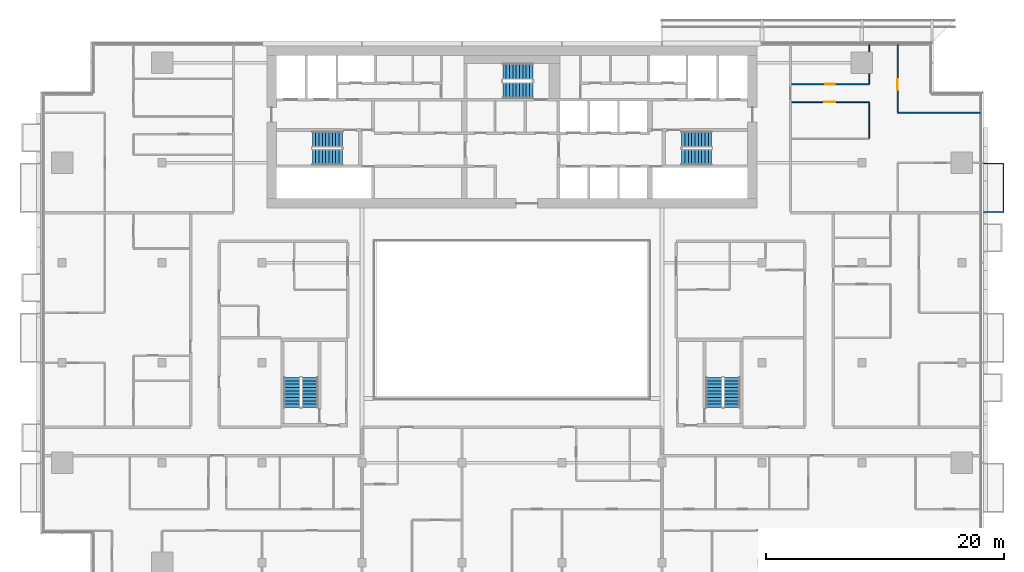
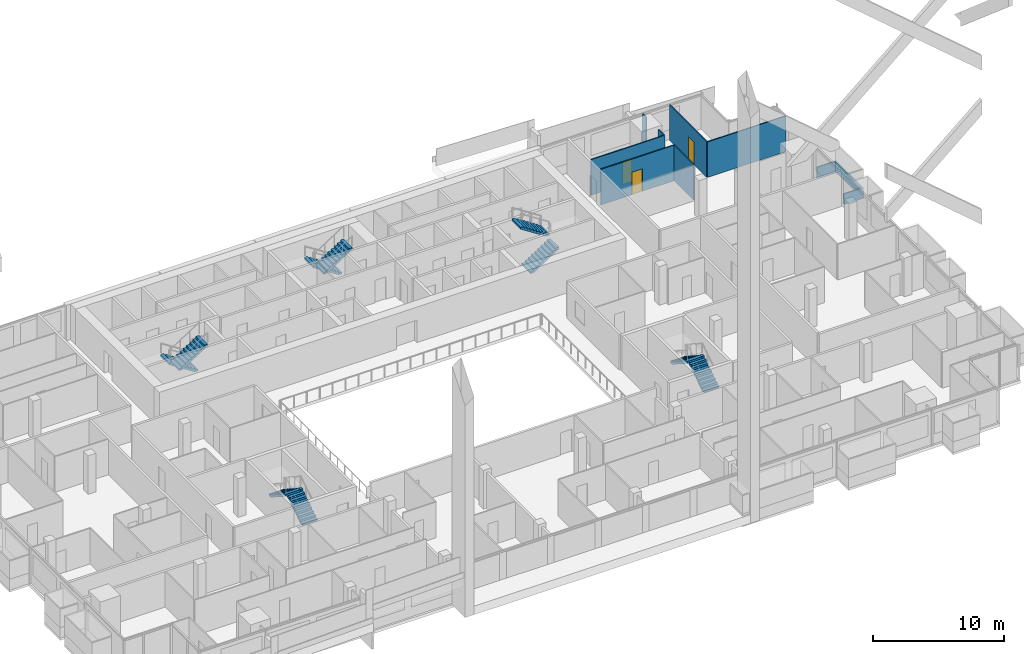
# One storey, part 25 of 31: 10 stair flights, 8 walls, 3 doors, 3 openings, 5 elements without a shape of their own.
"""IFC4 building model written with IfcOpenShell, lengths in metres."""

from ifc_helpers import new_model, si_unit, direction, frame, frame_2d, origin, place, context, subcontext, project, spatial, polyline, rectangle, outline, extrude, material, layer, layer_set, type_object, element, fill, aggregate, save


model = new_model("IFC4")

# Units and contexts
model_context = context("Model", 3, precision=1e-05, world=origin(), true_north=direction((0.0, 1.0)))
body_context = subcontext(model_context, "Body", "Model", "MODEL_VIEW")
ifc_project = project(units=[si_unit("LENGTHUNIT", "METRE"), si_unit("AREAUNIT", "SQUARE_METRE"), si_unit("VOLUMEUNIT", "CUBIC_METRE"), si_unit("PLANEANGLEUNIT", "RADIAN"), si_unit("MASSUNIT", "GRAM", prefix="KILO")], contexts=[model_context])

# Site, building, storey
site_placement = place(None, origin())
site = spatial("IfcSite", under=ifc_project, at=site_placement, CompositionType="ELEMENT")
building_placement = place(site_placement, origin())
building = spatial("IfcBuilding", under=site, at=building_placement, Name="Saffron Gate Tower", CompositionType="ELEMENT")
storey_placement = place(building_placement, frame((0.0, 0.0, 147.449951171875)))
storey = spatial("IfcBuildingStorey", under=building, at=storey_placement, Name="L35", CompositionType="ELEMENT", Elevation=147.449951171875)

# Wall
ifc_material_1 = material(Name="Plasterboard on steel studs", Category="steel")
ifc_layer_1 = layer(ifc_material_1, 0.10009765625)
ifc_layer_set_1 = layer_set([ifc_layer_1], Name="PW1 Partition 100")
wall_type_1 = type_object("IfcWallType", Name="PW1 Partition 100", PredefinedType="PARTITIONING", material=ifc_layer_set_1)
wall_1_placement = place(storey_placement, frame((120.0, 69.60009765625, 0.0), z_axis=(0.0, 0.0, 1.0), x_axis=(1.0, 0.0, 0.0)))
element("IfcWall", 1, at=wall_1_placement, inside=storey, type_object=wall_type_1, Name="Partition C1-53", PredefinedType="PARTITIONING", context=body_context, shape_type="SweptSolid", body=[
    extrude(rectangle(XDim=6.919921875, YDim=0.10009765625, at=frame_2d((3.4599609375, 0.0))), origin(), (0.0, 0.0, 1.0), 3.320068359375),
])

# Wall, opening, door
wall_2_placement = place(storey_placement, frame((117.60009765625, 70.5, 0.0), z_axis=(0.0, 0.0, 1.0), x_axis=(-1.0, 0.0, 0.0)))
wall_2 = element("IfcWall", 2, at=wall_2_placement, inside=storey, type_object=wall_type_1, Name="Partition C1-54", PredefinedType="PARTITIONING", context=body_context, shape_type="SweptSolid", body=[
    extrude(rectangle(XDim=6.5, YDim=0.10009765625, at=frame_2d((3.25, 0.0))), origin(), (0.0, 0.0, 1.0), 3.320068359375),
])
opening_1_placement = place(wall_2_placement, frame((2.85009765625, 0.0, 0.0)))
opening_1 = element("IfcOpeningElement", 3, at=opening_1_placement, cuts=wall_2, Name="Opening C1-36", PredefinedType="OPENING", context=body_context, shape_type="SweptSolid", body=[
    extrude(rectangle(XDim=0.89990234375, YDim=2.10009765625, at=frame_2d((0.449951171875, 1.050048828125))), frame((0.0, 0.06005859375, 0.0), z_axis=(0.0, -1.0, 0.0), x_axis=(1.0, 0.0, 0.0)), (0.0, 0.0, 1.0), 0.1201171875),
])
ifc_material_2 = material(Name="Timber door set", Category="wood")
door_type_1 = type_object("IfcDoorType", Name="RD1 Room door 900x2100", OperationType="NOTDEFINED", PredefinedType="DOOR", material=ifc_material_2)
door_1_placement = place(opening_1_placement, origin())
door_1 = element("IfcDoor", 4, at=door_1_placement, inside=storey, type_object=door_type_1, Name="Door C1-36", OperationType="SINGLE_SWING_RIGHT", OverallHeight=2.10009765625, OverallWidth=0.89990234375, PredefinedType="DOOR", context=body_context, shape_type="SweptSolid", body=[
    extrude(rectangle(XDim=0.89990234375, YDim=2.10009765625, at=frame_2d((0.449951171875, 1.050048828125))), frame((0.0, 0.02490234375, 0.0), z_axis=(0.0, -1.0, 0.0), x_axis=(1.0, 0.0, 0.0)), (0.0, 0.0, 1.0), 0.050048828125),
])
fill(opening_1, door_1)

wall_3_placement = place(storey_placement, frame((111.10009765625, 72.0, 0.0), z_axis=(0.0, 0.0, 1.0), x_axis=(1.0, 0.0, 0.0)))
wall_3 = element("IfcWall", 5, at=wall_3_placement, inside=storey, type_object=wall_type_1, Name="Partition C1-55", PredefinedType="PARTITIONING", context=body_context, shape_type="SweptSolid", body=[
    extrude(rectangle(XDim=6.5, YDim=0.10009765625, at=frame_2d((3.25, 0.0))), origin(), (0.0, 0.0, 1.0), 3.320068359375),
])
opening_2_placement = place(wall_3_placement, frame((2.800048828125, 0.0, 0.0)))
opening_2 = element("IfcOpeningElement", 6, at=opening_2_placement, cuts=wall_3, Name="Opening C1-51", PredefinedType="OPENING", context=body_context, shape_type="SweptSolid", body=[
    extrude(rectangle(XDim=0.800048828125, YDim=2.10009765625, at=frame_2d((0.39990234375, 1.050048828125))), frame((0.0, 0.06005859375, 0.0), z_axis=(0.0, -1.0, 0.0), x_axis=(1.0, 0.0, 0.0)), (0.0, 0.0, 1.0), 0.1201171875),
])
door_type_2 = type_object("IfcDoorType", Name="RD2 Bathroom door 800x2100", OperationType="NOTDEFINED", PredefinedType="DOOR", material=ifc_material_2)
door_2_placement = place(opening_2_placement, origin())
door_2 = element("IfcDoor", 7, at=door_2_placement, inside=storey, type_object=door_type_2, Name="Door C1-51", OperationType="SINGLE_SWING_LEFT", OverallHeight=2.10009765625, OverallWidth=0.800048828125, PredefinedType="DOOR", context=body_context, shape_type="SweptSolid", body=[
    extrude(rectangle(XDim=0.800048828125, YDim=2.10009765625, at=frame_2d((0.39990234375, 1.050048828125))), frame((0.0, 0.02490234375, 0.0), z_axis=(0.0, -1.0, 0.0), x_axis=(1.0, 0.0, 0.0)), (0.0, 0.0, 1.0), 0.050048828125),
])
fill(opening_2, door_2)

# Walls
wall_4_placement = place(storey_placement, frame((117.60009765625, 70.449951171875, 0.0), z_axis=(0.0, 0.0, 1.0), x_axis=(0.0, -1.0, 0.0)))
element("IfcWall", 8, at=wall_4_placement, inside=storey, type_object=wall_type_1, Name="Partition C1-107", PredefinedType="PARTITIONING", context=body_context, shape_type="SweptSolid", body=[
    extrude(rectangle(XDim=2.98779296875, YDim=0.10009765625, at=frame_2d((1.493896484375, 0.0))), origin(), (0.0, 0.0, 1.0), 3.320068359375),
])
wall_5_placement = place(storey_placement, frame((117.60009765625, 72.8798828125, 0.0), z_axis=(0.0, 0.0, 1.0), x_axis=(0.0, -1.0, 0.0)))
element("IfcWall", 9, at=wall_5_placement, inside=storey, type_object=wall_type_1, Name="Partition C1-108", PredefinedType="PARTITIONING", context=body_context, shape_type="SweptSolid", body=[
    extrude(rectangle(XDim=0.829833984375, YDim=0.10009765625, at=frame_2d((0.4150390625, 0.0))), origin(), (0.0, 0.0, 1.0), 3.320068359375),
])
wall_6_placement = place(storey_placement, frame((117.60009765625, 75.320068359375, 0.0), z_axis=(0.0, 0.0, 1.0), x_axis=(0.0, -1.0, 0.0)))
element("IfcWall", 10, at=wall_6_placement, inside=storey, type_object=wall_type_1, Name="Partition C1-109", PredefinedType="PARTITIONING", context=body_context, shape_type="SweptSolid", body=[
    extrude(rectangle(XDim=0.60009765625, YDim=0.10009765625, at=frame_2d((0.300048828125, 0.0))), origin(), (0.0, 0.0, 1.0), 3.320068359375),
])

# Wall, opening, door
wall_7_placement = place(storey_placement, frame((120.0, 75.320068359375, 0.0), z_axis=(0.0, 0.0, 1.0), x_axis=(0.0, -1.0, 0.0)))
wall_7 = element("IfcWall", 11, at=wall_7_placement, inside=storey, type_object=wall_type_1, Name="Partition C1-113", PredefinedType="PARTITIONING", context=body_context, shape_type="SweptSolid", body=[
    extrude(rectangle(XDim=5.670166015625, YDim=0.10009765625, at=frame_2d((2.8349609375, 0.0))), origin(), (0.0, 0.0, 1.0), 3.320068359375),
])
opening_3_placement = place(wall_7_placement, frame((2.89111328125, 0.0, 0.0)))
opening_3 = element("IfcOpeningElement", 12, at=opening_3_placement, cuts=wall_7, Name="Opening C1-35", PredefinedType="OPENING", context=body_context, shape_type="SweptSolid", body=[
    extrude(rectangle(XDim=0.89990234375, YDim=2.10009765625, at=frame_2d((0.449951171875, 1.050048828125))), frame((0.0, 0.06005859375, 0.0), z_axis=(0.0, -1.0, 0.0), x_axis=(1.0, 0.0, 0.0)), (0.0, 0.0, 1.0), 0.1201171875),
])
door_3_placement = place(opening_3_placement, origin())
door_3 = element("IfcDoor", 13, at=door_3_placement, inside=storey, type_object=door_type_1, Name="Door C1-35", OperationType="SINGLE_SWING_RIGHT", OverallHeight=2.10009765625, OverallWidth=0.89990234375, PredefinedType="DOOR", context=body_context, shape_type="SweptSolid", body=[
    extrude(rectangle(XDim=0.89990234375, YDim=2.10009765625, at=frame_2d((0.449951171875, 1.050048828125))), frame((0.0, 0.02490234375, 0.0), z_axis=(0.0, -1.0, 0.0), x_axis=(1.0, 0.0, 0.0)), (0.0, 0.0, 1.0), 0.050048828125),
])
fill(opening_3, door_3)

# Wall
ifc_material_3 = material(Name="Rendered insulated panel, white")
ifc_layer_2 = layer(ifc_material_3, 0.10009765625)
ifc_layer_set_2 = layer_set([ifc_layer_2], Name="WB3 box parapet white")
wall_type_2 = type_object("IfcWallType", Name="WB3 box parapet white", PredefinedType="SOLIDWALL", material=ifc_layer_set_2)
wall_8_placement = place(storey_placement, origin())
element("IfcWall", 14, at=wall_8_placement, inside=storey, type_object=wall_type_2, Name="WINDOW BOX parapet", PredefinedType="SOLIDWALL", context=body_context, shape_type="SweptSolid", body=[
    extrude(outline(polyline([(127.199951171875, 61.199951171875), (127.199951171875, 61.300048828125), (128.8330078125, 61.300048828125), (128.8330078125, 65.300048828125), (127.199951171875, 65.300048828125), (127.199951171875, 65.39990234375), (128.93310546875, 65.39990234375), (128.93310546875, 61.199951171875), (127.199951171875, 61.199951171875)])), origin(), (0.0, 0.0, 1.0), 1.0),
])

# Stair, stair flights
ifc_material_4 = material(Name="Concrete C40", Category="concrete")
stair_type = type_object("IfcStairType", Name="ST7 Stair 1350 wide, 20 risers of 180", PredefinedType="HALF_TURN_STAIR", material=ifc_material_4)
stair_1_placement = place(storey_placement, origin())
stair_1 = element("IfcStair", 15, at=stair_1_placement, inside=storey, type_object=stair_type, Name="L35 Exit stair A", PredefinedType="HALF_TURN_STAIR")
stair_flight_type = type_object("IfcStairFlightType", Name="SF3 Stair flight 1350 wide, riser 180 going 280", PredefinedType="STRAIGHT", material=ifc_material_4)
stair_flight_1_placement = place(storey_placement, frame((73.35009765625, 67.375, 0.0), z_axis=(0.0, 0.0, 1.0), x_axis=(-1.0, 0.0, 0.0)))
stair_flight_1 = element("IfcStairFlight", 16, at=stair_flight_1_placement, type_object=stair_flight_type, Name="ST-A flight 1", NumberOfRisers=10, NumberOfTreads=9, PredefinedType="STRAIGHT", RiserHeight=0.18, TreadLength=0.28, context=body_context, shape_type="SweptSolid", body=[
    extrude(outline(polyline([(0.0, 0.0), (0.0, 0.179931640625), (0.280029296875, 0.179931640625), (0.280029296875, 0.360107421875), (0.56005859375, 0.360107421875), (0.56005859375, 0.5400390625), (0.840087890625, 0.5400390625), (0.840087890625, 0.719970703125), (1.1201171875, 0.719970703125), (1.1201171875, 0.89990234375), (1.39990234375, 0.89990234375), (1.39990234375, 1.080078125), (1.679931640625, 1.080078125), (1.679931640625, 1.260009765625), (1.9599609375, 1.260009765625), (1.9599609375, 1.43994140625), (2.239990234375, 1.43994140625), (2.239990234375, 1.6201171875), (2.52001953125, 1.6201171875), (2.52001953125, 1.800048828125), (2.52001953125, 1.44189453125), (0.277099609375, 0.0), (0.0, 0.0)])), frame((0.0, 0.675048828125, 0.0), z_axis=(0.0, -1.0, 0.0), x_axis=(1.0, 0.0, 0.0)), (0.0, 0.0, 1.0), 1.35009765625),
])
stair_flight_2_placement = place(storey_placement, frame((70.830078125, 65.875, 1.800048828125), z_axis=(0.0, 0.0, 1.0), x_axis=(1.0, 0.0, 0.0)))
stair_flight_2 = element("IfcStairFlight", 17, at=stair_flight_2_placement, type_object=stair_flight_type, Name="ST-A flight 2", NumberOfRisers=10, NumberOfTreads=9, PredefinedType="STRAIGHT", RiserHeight=0.18, TreadLength=0.28, context=body_context, shape_type="SweptSolid", body=[
    extrude(outline(polyline([(0.0, 0.0), (0.0, 0.179931640625), (0.280029296875, 0.179931640625), (0.280029296875, 0.360107421875), (0.56005859375, 0.360107421875), (0.56005859375, 0.5400390625), (0.840087890625, 0.5400390625), (0.840087890625, 0.719970703125), (1.1201171875, 0.719970703125), (1.1201171875, 0.89990234375), (1.39990234375, 0.89990234375), (1.39990234375, 1.080078125), (1.679931640625, 1.080078125), (1.679931640625, 1.260009765625), (1.9599609375, 1.260009765625), (1.9599609375, 1.43994140625), (2.239990234375, 1.43994140625), (2.239990234375, 1.6201171875), (2.52001953125, 1.6201171875), (2.52001953125, 1.800048828125), (2.52001953125, 1.44189453125), (0.277099609375, 0.0), (0.0, 0.0)])), frame((0.0, 0.675048828125, 0.0), z_axis=(0.0, -1.0, 0.0), x_axis=(1.0, 0.0, 0.0)), (0.0, 0.0, 1.0), 1.35009765625),
])
aggregate(stair_1, [stair_flight_1, stair_flight_2])

stair_2_placement = place(storey_placement, origin())
stair_2 = element("IfcStair", 18, at=stair_2_placement, inside=storey, type_object=stair_type, Name="L35 Exit stair B", PredefinedType="HALF_TURN_STAIR")
stair_flight_3_placement = place(storey_placement, frame((101.85009765625, 65.875, 0.0), z_axis=(0.0, 0.0, 1.0), x_axis=(1.0, 0.0, 0.0)))
stair_flight_3 = element("IfcStairFlight", 19, at=stair_flight_3_placement, type_object=stair_flight_type, Name="ST-B flight 1", NumberOfRisers=10, NumberOfTreads=9, PredefinedType="STRAIGHT", RiserHeight=0.18, TreadLength=0.28, context=body_context, shape_type="SweptSolid", body=[
    extrude(outline(polyline([(0.0, 0.0), (0.0, 0.179931640625), (0.280029296875, 0.179931640625), (0.280029296875, 0.360107421875), (0.56005859375, 0.360107421875), (0.56005859375, 0.5400390625), (0.840087890625, 0.5400390625), (0.840087890625, 0.719970703125), (1.1201171875, 0.719970703125), (1.1201171875, 0.89990234375), (1.39990234375, 0.89990234375), (1.39990234375, 1.080078125), (1.679931640625, 1.080078125), (1.679931640625, 1.260009765625), (1.9599609375, 1.260009765625), (1.9599609375, 1.43994140625), (2.239990234375, 1.43994140625), (2.239990234375, 1.6201171875), (2.52001953125, 1.6201171875), (2.52001953125, 1.800048828125), (2.52001953125, 1.44189453125), (0.277099609375, 0.0), (0.0, 0.0)])), frame((0.0, 0.675048828125, 0.0), z_axis=(0.0, -1.0, 0.0), x_axis=(1.0, 0.0, 0.0)), (0.0, 0.0, 1.0), 1.35009765625),
])
stair_flight_4_placement = place(storey_placement, frame((104.3701171875, 67.375, 1.800048828125), z_axis=(0.0, 0.0, 1.0), x_axis=(-1.0, 0.0, 0.0)))
stair_flight_4 = element("IfcStairFlight", 20, at=stair_flight_4_placement, type_object=stair_flight_type, Name="ST-B flight 2", NumberOfRisers=10, NumberOfTreads=9, PredefinedType="STRAIGHT", RiserHeight=0.18, TreadLength=0.28, context=body_context, shape_type="SweptSolid", body=[
    extrude(outline(polyline([(0.0, 0.0), (0.0, 0.179931640625), (0.280029296875, 0.179931640625), (0.280029296875, 0.360107421875), (0.56005859375, 0.360107421875), (0.56005859375, 0.5400390625), (0.840087890625, 0.5400390625), (0.840087890625, 0.719970703125), (1.1201171875, 0.719970703125), (1.1201171875, 0.89990234375), (1.39990234375, 0.89990234375), (1.39990234375, 1.080078125), (1.679931640625, 1.080078125), (1.679931640625, 1.260009765625), (1.9599609375, 1.260009765625), (1.9599609375, 1.43994140625), (2.239990234375, 1.43994140625), (2.239990234375, 1.6201171875), (2.52001953125, 1.6201171875), (2.52001953125, 1.800048828125), (2.52001953125, 1.44189453125), (0.277099609375, 0.0), (0.0, 0.0)])), frame((0.0, 0.675048828125, 0.0), z_axis=(0.0, -1.0, 0.0), x_axis=(1.0, 0.0, 0.0)), (0.0, 0.0, 1.0), 1.35009765625),
])
aggregate(stair_2, [stair_flight_3, stair_flight_4])

stair_3_placement = place(storey_placement, origin())
stair_3 = element("IfcStair", 21, at=stair_3_placement, inside=storey, type_object=stair_type, Name="L35 Exit stair C", PredefinedType="HALF_TURN_STAIR")
stair_flight_5_placement = place(storey_placement, frame((89.35009765625, 73.074951171875, 0.0), z_axis=(0.0, 0.0, 1.0), x_axis=(-1.0, 0.0, 0.0)))
stair_flight_5 = element("IfcStairFlight", 22, at=stair_flight_5_placement, type_object=stair_flight_type, Name="ST-C flight 1", NumberOfRisers=10, NumberOfTreads=9, PredefinedType="STRAIGHT", RiserHeight=0.18, TreadLength=0.28, context=body_context, shape_type="SweptSolid", body=[
    extrude(outline(polyline([(0.0, 0.0), (0.0, 0.179931640625), (0.280029296875, 0.179931640625), (0.280029296875, 0.360107421875), (0.56005859375, 0.360107421875), (0.56005859375, 0.5400390625), (0.840087890625, 0.5400390625), (0.840087890625, 0.719970703125), (1.1201171875, 0.719970703125), (1.1201171875, 0.89990234375), (1.39990234375, 0.89990234375), (1.39990234375, 1.080078125), (1.679931640625, 1.080078125), (1.679931640625, 1.260009765625), (1.9599609375, 1.260009765625), (1.9599609375, 1.43994140625), (2.239990234375, 1.43994140625), (2.239990234375, 1.6201171875), (2.52001953125, 1.6201171875), (2.52001953125, 1.800048828125), (2.52001953125, 1.44189453125), (0.277099609375, 0.0), (0.0, 0.0)])), frame((0.0, 0.675048828125, 0.0), z_axis=(0.0, -1.0, 0.0), x_axis=(1.0, 0.0, 0.0)), (0.0, 0.0, 1.0), 1.35009765625),
])
stair_flight_6_placement = place(storey_placement, frame((86.830078125, 71.47509765625, 1.800048828125), z_axis=(0.0, 0.0, 1.0), x_axis=(1.0, 0.0, 0.0)))
stair_flight_6 = element("IfcStairFlight", 23, at=stair_flight_6_placement, type_object=stair_flight_type, Name="ST-C flight 2", NumberOfRisers=10, NumberOfTreads=9, PredefinedType="STRAIGHT", RiserHeight=0.18, TreadLength=0.28, context=body_context, shape_type="SweptSolid", body=[
    extrude(outline(polyline([(0.0, 0.0), (0.0, 0.179931640625), (0.280029296875, 0.179931640625), (0.280029296875, 0.360107421875), (0.56005859375, 0.360107421875), (0.56005859375, 0.5400390625), (0.840087890625, 0.5400390625), (0.840087890625, 0.719970703125), (1.1201171875, 0.719970703125), (1.1201171875, 0.89990234375), (1.39990234375, 0.89990234375), (1.39990234375, 1.080078125), (1.679931640625, 1.080078125), (1.679931640625, 1.260009765625), (1.9599609375, 1.260009765625), (1.9599609375, 1.43994140625), (2.239990234375, 1.43994140625), (2.239990234375, 1.6201171875), (2.52001953125, 1.6201171875), (2.52001953125, 1.800048828125), (2.52001953125, 1.44189453125), (0.277099609375, 0.0), (0.0, 0.0)])), frame((0.0, 0.675048828125, 0.0), z_axis=(0.0, -1.0, 0.0), x_axis=(1.0, 0.0, 0.0)), (0.0, 0.0, 1.0), 1.35009765625),
])
aggregate(stair_3, [stair_flight_5, stair_flight_6])

stair_4_placement = place(storey_placement, origin())
stair_4 = element("IfcStair", 24, at=stair_4_placement, inside=storey, type_object=stair_type, Name="L35 Exit stair D", PredefinedType="HALF_TURN_STAIR")
stair_flight_7_placement = place(storey_placement, frame((70.625, 44.85009765625, 0.0), z_axis=(0.0, 0.0, 1.0), x_axis=(0.0, 1.0, 0.0)))
stair_flight_7 = element("IfcStairFlight", 25, at=stair_flight_7_placement, type_object=stair_flight_type, Name="ST-D flight 1", NumberOfRisers=10, NumberOfTreads=9, PredefinedType="STRAIGHT", RiserHeight=0.18, TreadLength=0.28, context=body_context, shape_type="SweptSolid", body=[
    extrude(outline(polyline([(0.0, 0.0), (0.0, 0.179931640625), (0.280029296875, 0.179931640625), (0.280029296875, 0.360107421875), (0.56005859375, 0.360107421875), (0.56005859375, 0.5400390625), (0.840087890625, 0.5400390625), (0.840087890625, 0.719970703125), (1.1201171875, 0.719970703125), (1.1201171875, 0.89990234375), (1.39990234375, 0.89990234375), (1.39990234375, 1.080078125), (1.679931640625, 1.080078125), (1.679931640625, 1.260009765625), (1.9599609375, 1.260009765625), (1.9599609375, 1.43994140625), (2.239990234375, 1.43994140625), (2.239990234375, 1.6201171875), (2.52001953125, 1.6201171875), (2.52001953125, 1.800048828125), (2.52001953125, 1.44189453125), (0.277099609375, 0.0), (0.0, 0.0)])), frame((0.0, 0.675048828125, 0.0), z_axis=(0.0, -1.0, 0.0), x_axis=(1.0, 0.0, 0.0)), (0.0, 0.0, 1.0), 1.35009765625),
])
stair_flight_8_placement = place(storey_placement, frame((69.125, 47.3701171875, 1.800048828125), z_axis=(0.0, 0.0, 1.0), x_axis=(0.0, -1.0, 0.0)))
stair_flight_8 = element("IfcStairFlight", 26, at=stair_flight_8_placement, type_object=stair_flight_type, Name="ST-D flight 2", NumberOfRisers=10, NumberOfTreads=9, PredefinedType="STRAIGHT", RiserHeight=0.18, TreadLength=0.28, context=body_context, shape_type="SweptSolid", body=[
    extrude(outline(polyline([(0.0, 0.0), (0.0, 0.179931640625), (0.280029296875, 0.179931640625), (0.280029296875, 0.360107421875), (0.56005859375, 0.360107421875), (0.56005859375, 0.5400390625), (0.840087890625, 0.5400390625), (0.840087890625, 0.719970703125), (1.1201171875, 0.719970703125), (1.1201171875, 0.89990234375), (1.39990234375, 0.89990234375), (1.39990234375, 1.080078125), (1.679931640625, 1.080078125), (1.679931640625, 1.260009765625), (1.9599609375, 1.260009765625), (1.9599609375, 1.43994140625), (2.239990234375, 1.43994140625), (2.239990234375, 1.6201171875), (2.52001953125, 1.6201171875), (2.52001953125, 1.800048828125), (2.52001953125, 1.44189453125), (0.277099609375, 0.0), (0.0, 0.0)])), frame((0.0, 0.675048828125, 0.0), z_axis=(0.0, -1.0, 0.0), x_axis=(1.0, 0.0, 0.0)), (0.0, 0.0, 1.0), 1.35009765625),
])
aggregate(stair_4, [stair_flight_7, stair_flight_8])

stair_5_placement = place(storey_placement, origin())
stair_5 = element("IfcStair", 27, at=stair_5_placement, inside=storey, type_object=stair_type, Name="L35 Exit stair E", PredefinedType="HALF_TURN_STAIR")
stair_flight_9_placement = place(storey_placement, frame((106.074951171875, 44.85009765625, 0.0), z_axis=(0.0, 0.0, 1.0), x_axis=(0.0, 1.0, 0.0)))
stair_flight_9 = element("IfcStairFlight", 28, at=stair_flight_9_placement, type_object=stair_flight_type, Name="ST-E flight 1", NumberOfRisers=10, NumberOfTreads=9, PredefinedType="STRAIGHT", RiserHeight=0.18, TreadLength=0.28, context=body_context, shape_type="SweptSolid", body=[
    extrude(outline(polyline([(0.0, 0.0), (0.0, 0.179931640625), (0.280029296875, 0.179931640625), (0.280029296875, 0.360107421875), (0.56005859375, 0.360107421875), (0.56005859375, 0.5400390625), (0.840087890625, 0.5400390625), (0.840087890625, 0.719970703125), (1.1201171875, 0.719970703125), (1.1201171875, 0.89990234375), (1.39990234375, 0.89990234375), (1.39990234375, 1.080078125), (1.679931640625, 1.080078125), (1.679931640625, 1.260009765625), (1.9599609375, 1.260009765625), (1.9599609375, 1.43994140625), (2.239990234375, 1.43994140625), (2.239990234375, 1.6201171875), (2.52001953125, 1.6201171875), (2.52001953125, 1.800048828125), (2.52001953125, 1.44189453125), (0.277099609375, 0.0), (0.0, 0.0)])), frame((0.0, 0.675048828125, 0.0), z_axis=(0.0, -1.0, 0.0), x_axis=(1.0, 0.0, 0.0)), (0.0, 0.0, 1.0), 1.35009765625),
])
stair_flight_10_placement = place(storey_placement, frame((104.574951171875, 47.3701171875, 1.800048828125), z_axis=(0.0, 0.0, 1.0), x_axis=(0.0, -1.0, 0.0)))
stair_flight_10 = element("IfcStairFlight", 29, at=stair_flight_10_placement, type_object=stair_flight_type, Name="ST-E flight 2", NumberOfRisers=10, NumberOfTreads=9, PredefinedType="STRAIGHT", RiserHeight=0.18, TreadLength=0.28, context=body_context, shape_type="SweptSolid", body=[
    extrude(outline(polyline([(0.0, 0.0), (0.0, 0.179931640625), (0.280029296875, 0.179931640625), (0.280029296875, 0.360107421875), (0.56005859375, 0.360107421875), (0.56005859375, 0.5400390625), (0.840087890625, 0.5400390625), (0.840087890625, 0.719970703125), (1.1201171875, 0.719970703125), (1.1201171875, 0.89990234375), (1.39990234375, 0.89990234375), (1.39990234375, 1.080078125), (1.679931640625, 1.080078125), (1.679931640625, 1.260009765625), (1.9599609375, 1.260009765625), (1.9599609375, 1.43994140625), (2.239990234375, 1.43994140625), (2.239990234375, 1.6201171875), (2.52001953125, 1.6201171875), (2.52001953125, 1.800048828125), (2.52001953125, 1.44189453125), (0.277099609375, 0.0), (0.0, 0.0)])), frame((0.0, 0.675048828125, 0.0), z_axis=(0.0, -1.0, 0.0), x_axis=(1.0, 0.0, 0.0)), (0.0, 0.0, 1.0), 1.35009765625),
])
aggregate(stair_5, [stair_flight_9, stair_flight_10])

save(model, "model.ifc")
